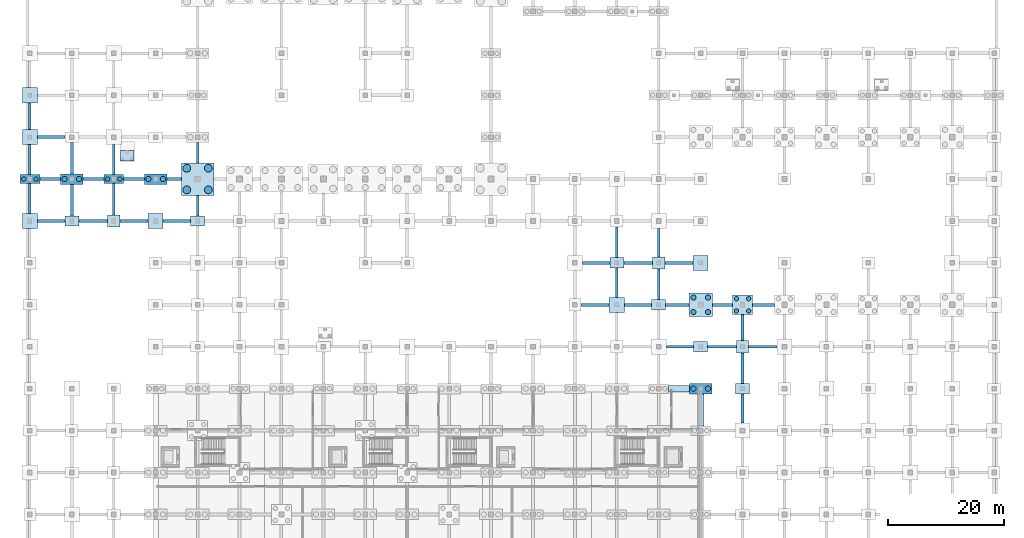
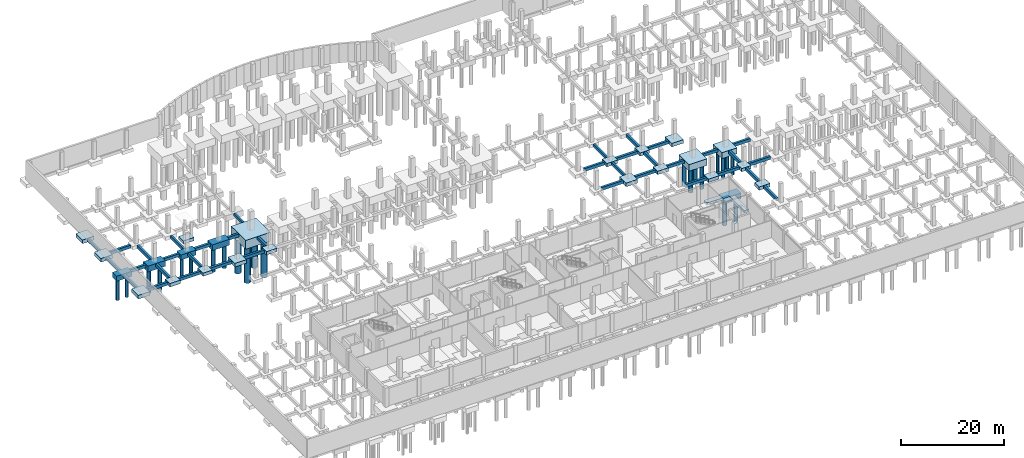
# One storey, part 7 of 22: 62 footings, 22 piles.
"""IFC4 building model written with IfcOpenShell, lengths in metres."""

from ifc_helpers import new_model, si_unit, direction, frame, origin, origin_2d, place, context, subcontext, project, spatial, polyline, rectangle, circle, outline, extrude, material, material_profile, profile_set, type_object, element, save


model = new_model("IFC4")

# Units and contexts
model_context = context("Model", 3, precision=1e-05, world=origin(), true_north=direction((0.0, 1.0)))
body_context = subcontext(model_context, "Body", "Model", "MODEL_VIEW")
ifc_project = project(units=[si_unit("LENGTHUNIT", "METRE"), si_unit("AREAUNIT", "SQUARE_METRE"), si_unit("VOLUMEUNIT", "CUBIC_METRE"), si_unit("PLANEANGLEUNIT", "RADIAN"), si_unit("MASSUNIT", "GRAM", prefix="KILO")], contexts=[model_context])

# Site, building, storey
site_placement = place(None, origin())
site = spatial("IfcSite", under=ifc_project, at=site_placement, CompositionType="ELEMENT")
building_placement = place(site_placement, origin())
building = spatial("IfcBuilding", under=site, at=building_placement, Name="Sardonyx Promenade Sports Hall", CompositionType="ELEMENT")
storey_placement = place(building_placement, frame((0.0, 0.0, -4.5)))
storey = spatial("IfcBuildingStorey", under=building, at=storey_placement, Name="B1", CompositionType="ELEMENT", Elevation=-4.5)

# Footings
ifc_material_1 = material(Name="Concrete C40/50", Category="concrete")
footing_type_1 = type_object("IfcFootingType", Name="Cap_2P_750", PredefinedType="PILE_CAP", material=ifc_material_1)
for number, where, z_axis, x_axis, name in (
    (1, (0.0, 72.0, -1.2001953125), (0.0, 0.0, 1.0), (1.0, 0.0, 0.0), "Pile cap PC02 at (0.00, 72.00)"),
    (2, (14.39990234375, 72.0, -1.2001953125), (0.0, 0.0, 1.0), (1.0, 0.0, 0.0), "Pile cap PC02 at (14.40, 72.00)"),
):
    element("IfcFooting", number, at=place(storey_placement, frame(where, z_axis=z_axis, x_axis=x_axis)), inside=storey, type_object=footing_type_1, Name=name, PredefinedType="PILE_CAP", context=body_context, shape_type="SweptSolid", body=[
        extrude(rectangle(XDim=3.39990234375, YDim=1.60009765625, at=origin_2d()), origin(), (0.0, 0.0, 1.0), 1.199951171875),
    ])
ifc_material_2 = material(Name="Concrete C40/50", Category="concrete")
footing_type_2 = type_object("IfcFootingType", Name="Cap_2P_900", PredefinedType="PILE_CAP", material=ifc_material_2)
for number, where, z_axis, x_axis, name in (
    (3, (7.199951171875, 72.0, -1.35009765625), (0.0, 0.0, 1.0), (1.0, 0.0, 0.0), "Pile cap PC09 at (7.20, 72.00)"),
    (4, (21.60009765625, 72.0, -1.35009765625), (0.0, 0.0, 1.0), (1.0, 0.0, 0.0), "Pile cap PC09 at (21.60, 72.00)"),
    (5, (115.199951171875, 36.0, -1.35009765625), (0.0, 0.0, 1.0), (1.0, 0.0, 0.0), "Pile cap PC09 at (115.20, 36.00)"),
):
    element("IfcFooting", number, at=place(storey_placement, frame(where, z_axis=z_axis, x_axis=x_axis)), inside=storey, type_object=footing_type_2, Name=name, PredefinedType="PILE_CAP", context=body_context, shape_type="SweptSolid", body=[
        extrude(rectangle(XDim=3.89990234375, YDim=1.800048828125, at=origin_2d()), origin(), (0.0, 0.0, 1.0), 1.35009765625),
    ])
ifc_material_3 = material(Name="Concrete C40/50", Category="concrete")
footing_type_3 = type_object("IfcFootingType", Name="Cap_4P_1350", PredefinedType="PILE_CAP", material=ifc_material_3)
footing_1_placement = place(storey_placement, frame((28.800048828125, 72.0, -2.10009765625), z_axis=(0.0, 0.0, 1.0), x_axis=(1.0, 0.0, 0.0)))
element("IfcFooting", 6, at=footing_1_placement, inside=storey, type_object=footing_type_3, Name="Pile cap PC08 at (28.80, 72.00)", PredefinedType="PILE_CAP", context=body_context, shape_type="SweptSolid", body=[
    extrude(rectangle(XDim=5.60009765625, YDim=5.60009765625, at=origin_2d()), origin(), (0.0, 0.0, 1.0), 2.10009765625),
])
ifc_material_4 = material(Name="Concrete C40/50", Category="concrete")
footing_type_4 = type_object("IfcFootingType", Name="Cap_4P_750", PredefinedType="PILE_CAP", material=ifc_material_4)
footing_2_placement = place(storey_placement, frame((122.39990234375, 50.39990234375, -1.39990234375), z_axis=(0.0, 0.0, 1.0), x_axis=(1.0, 0.0, 0.0)))
element("IfcFooting", 7, at=footing_2_placement, inside=storey, type_object=footing_type_4, Name="Pile cap PC04 at (122.40, 50.40)", PredefinedType="PILE_CAP", context=body_context, shape_type="SweptSolid", body=[
    extrude(rectangle(XDim=3.39990234375, YDim=3.39990234375, at=origin_2d()), origin(), (0.0, 0.0, 1.0), 1.39990234375),
])
ifc_material_5 = material(Name="Concrete C40/50", Category="concrete")
footing_type_5 = type_object("IfcFootingType", Name="Cap_4P_900", PredefinedType="PILE_CAP", material=ifc_material_5)
footing_3_placement = place(storey_placement, frame((115.199951171875, 50.39990234375, -1.5498046875), z_axis=(0.0, 0.0, 1.0), x_axis=(1.0, 0.0, 0.0)))
element("IfcFooting", 8, at=footing_3_placement, inside=storey, type_object=footing_type_5, Name="Pile cap PC03 at (115.20, 50.40)", PredefinedType="PILE_CAP", context=body_context, shape_type="SweptSolid", body=[
    extrude(rectangle(XDim=4.0, YDim=4.0, at=origin_2d()), origin(), (0.0, 0.0, 1.0), 1.550048828125),
])
ifc_material_6 = material(Name="Concrete C40/50", Category="concrete")
footing_type_6 = type_object("IfcFootingType", Name="Ftg_Beam_450x650", PredefinedType="FOOTING_BEAM", material=ifc_material_6)
footing_4_placement = place(storey_placement, frame((0.0, 0.0, -0.64990234375)))
element("IfcFooting", 9, at=footing_4_placement, inside=storey, type_object=footing_type_6, Name="Ground tie beam GB03 #229", PredefinedType="FOOTING_BEAM", context=body_context, shape_type="SweptSolid", body=[
    extrude(outline(polyline([(-0.22509765625, 66.10009765625), (0.22509765625, 66.10009765625), (0.22509765625, 71.199951171875), (-0.22509765625, 71.199951171875), (-0.22509765625, 66.10009765625)])), origin(), (0.0, 0.0, 1.0), 0.64990234375),
])
footing_5_placement = place(storey_placement, frame((0.0, 0.0, -0.64990234375)))
element("IfcFooting", 10, at=footing_5_placement, inside=storey, type_object=footing_type_6, Name="Ground tie beam GB03 #230", PredefinedType="FOOTING_BEAM", context=body_context, shape_type="SweptSolid", body=[
    extrude(outline(polyline([(-0.22509765625, 72.800048828125), (0.22509765625, 72.800048828125), (0.22509765625, 77.89990234375), (-0.22509765625, 77.89990234375), (-0.22509765625, 72.800048828125)])), origin(), (0.0, 0.0, 1.0), 0.64990234375),
])
footing_6_placement = place(storey_placement, frame((0.0, 0.0, -0.64990234375)))
element("IfcFooting", 11, at=footing_6_placement, inside=storey, type_object=footing_type_6, Name="Ground tie beam GB03 #231", PredefinedType="FOOTING_BEAM", context=body_context, shape_type="SweptSolid", body=[
    extrude(outline(polyline([(-0.22509765625, 80.5), (0.22509765625, 80.5), (0.22509765625, 85.10009765625), (-0.22509765625, 85.10009765625), (-0.22509765625, 80.5)])), origin(), (0.0, 0.0, 1.0), 0.64990234375),
])
footing_7_placement = place(storey_placement, frame((0.0, 0.0, -0.64990234375)))
element("IfcFooting", 12, at=footing_7_placement, inside=storey, type_object=footing_type_6, Name="Ground tie beam GB03 #247", PredefinedType="FOOTING_BEAM", context=body_context, shape_type="SweptSolid", body=[
    extrude(outline(polyline([(14.175048828125, 65.85009765625), (14.625, 65.85009765625), (14.625, 71.199951171875), (14.175048828125, 71.199951171875), (14.175048828125, 65.85009765625)])), origin(), (0.0, 0.0, 1.0), 0.64990234375),
])
footing_8_placement = place(storey_placement, frame((0.0, 0.0, -0.64990234375)))
element("IfcFooting", 13, at=footing_8_placement, inside=storey, type_object=footing_type_6, Name="Ground tie beam GB03 #248", PredefinedType="FOOTING_BEAM", context=body_context, shape_type="SweptSolid", body=[
    extrude(outline(polyline([(14.175048828125, 72.800048828125), (14.625, 72.800048828125), (14.625, 77.89990234375), (14.175048828125, 77.89990234375), (14.175048828125, 72.800048828125)])), origin(), (0.0, 0.0, 1.0), 0.64990234375),
])
footing_9_placement = place(storey_placement, frame((0.0, 0.0, -0.64990234375)))
element("IfcFooting", 14, at=footing_9_placement, inside=storey, type_object=footing_type_6, Name="Ground tie beam GB03 #260", PredefinedType="FOOTING_BEAM", context=body_context, shape_type="SweptSolid", body=[
    extrude(outline(polyline([(28.574951171875, 65.699951171875), (29.02490234375, 65.699951171875), (29.02490234375, 69.199951171875), (28.574951171875, 69.199951171875), (28.574951171875, 65.699951171875)])), origin(), (0.0, 0.0, 1.0), 0.64990234375),
])
footing_10_placement = place(storey_placement, frame((0.0, 0.0, -0.64990234375)))
element("IfcFooting", 15, at=footing_10_placement, inside=storey, type_object=footing_type_6, Name="Ground tie beam GB03 #261", PredefinedType="FOOTING_BEAM", context=body_context, shape_type="SweptSolid", body=[
    extrude(outline(polyline([(28.574951171875, 74.800048828125), (29.02490234375, 74.800048828125), (29.02490234375, 78.300048828125), (28.574951171875, 78.300048828125), (28.574951171875, 74.800048828125)])), origin(), (0.0, 0.0, 1.0), 0.64990234375),
])
footing_11_placement = place(storey_placement, frame((0.0, 0.0, -0.64990234375)))
element("IfcFooting", 16, at=footing_11_placement, inside=storey, type_object=footing_type_6, Name="Ground tie beam GB03 #358", PredefinedType="FOOTING_BEAM", context=body_context, shape_type="SweptSolid", body=[
    extrude(outline(polyline([(100.574951171875, 51.699951171875), (101.02490234375, 51.699951171875), (101.02490234375, 56.699951171875), (100.574951171875, 56.699951171875), (100.574951171875, 51.699951171875)])), origin(), (0.0, 0.0, 1.0), 0.64990234375),
])
footing_12_placement = place(storey_placement, frame((0.0, 0.0, -0.64990234375)))
element("IfcFooting", 17, at=footing_12_placement, inside=storey, type_object=footing_type_6, Name="Ground tie beam GB03 #359", PredefinedType="FOOTING_BEAM", context=body_context, shape_type="SweptSolid", body=[
    extrude(outline(polyline([(100.574951171875, 58.5), (101.02490234375, 58.5), (101.02490234375, 63.75), (100.574951171875, 63.75), (100.574951171875, 58.5)])), origin(), (0.0, 0.0, 1.0), 0.64990234375),
])
ifc_material_7 = material(Name="Concrete C40/50", Category="concrete")
footing_type_7 = type_object("IfcFootingType", Name="Ftg_Beam_500x700", PredefinedType="FOOTING_BEAM", material=ifc_material_7)
footing_13_placement = place(storey_placement, frame((0.0, 0.0, -0.699951171875)))
element("IfcFooting", 18, at=footing_13_placement, inside=storey, type_object=footing_type_7, Name="Ground tie beam GB01 #105", PredefinedType="FOOTING_BEAM", context=body_context, shape_type="SweptSolid", body=[
    extrude(outline(polyline([(109.300048828125, 42.949951171875), (114.0, 42.949951171875), (114.0, 43.449951171875), (109.300048828125, 43.449951171875), (109.300048828125, 42.949951171875)])), origin(), (0.0, 0.0, 1.0), 0.699951171875),
])
footing_14_placement = place(storey_placement, frame((0.0, 0.0, -0.699951171875)))
element("IfcFooting", 19, at=footing_14_placement, inside=storey, type_object=footing_type_7, Name="Ground tie beam GB01 #106", PredefinedType="FOOTING_BEAM", context=body_context, shape_type="SweptSolid", body=[
    extrude(outline(polyline([(116.39990234375, 42.949951171875), (121.35009765625, 42.949951171875), (121.35009765625, 43.449951171875), (116.39990234375, 43.449951171875), (116.39990234375, 42.949951171875)])), origin(), (0.0, 0.0, 1.0), 0.699951171875),
])
footing_15_placement = place(storey_placement, frame((0.0, 0.0, -0.699951171875)))
element("IfcFooting", 20, at=footing_15_placement, inside=storey, type_object=footing_type_7, Name="Ground tie beam GB01 #107", PredefinedType="FOOTING_BEAM", context=body_context, shape_type="SweptSolid", body=[
    extrude(outline(polyline([(123.449951171875, 42.949951171875), (128.300048828125, 42.949951171875), (128.300048828125, 43.449951171875), (123.449951171875, 43.449951171875), (123.449951171875, 42.949951171875)])), origin(), (0.0, 0.0, 1.0), 0.699951171875),
])
footing_16_placement = place(storey_placement, frame((0.0, 0.0, -0.699951171875)))
element("IfcFooting", 21, at=footing_16_placement, inside=storey, type_object=footing_type_7, Name="Ground tie beam GB01 #116", PredefinedType="FOOTING_BEAM", context=body_context, shape_type="SweptSolid", body=[
    extrude(outline(polyline([(94.64990234375, 50.14990234375), (99.5, 50.14990234375), (99.5, 50.64990234375), (94.64990234375, 50.64990234375), (94.64990234375, 50.14990234375)])), origin(), (0.0, 0.0, 1.0), 0.699951171875),
])
footing_17_placement = place(storey_placement, frame((0.0, 0.0, -0.699951171875)))
element("IfcFooting", 22, at=footing_17_placement, inside=storey, type_object=footing_type_7, Name="Ground tie beam GB01 #117", PredefinedType="FOOTING_BEAM", context=body_context, shape_type="SweptSolid", body=[
    extrude(outline(polyline([(102.10009765625, 50.14990234375), (106.800048828125, 50.14990234375), (106.800048828125, 50.64990234375), (102.10009765625, 50.64990234375), (102.10009765625, 50.14990234375)])), origin(), (0.0, 0.0, 1.0), 0.699951171875),
])
footing_18_placement = place(storey_placement, frame((0.0, 0.0, -0.699951171875)))
element("IfcFooting", 23, at=footing_18_placement, inside=storey, type_object=footing_type_7, Name="Ground tie beam GB01 #118", PredefinedType="FOOTING_BEAM", context=body_context, shape_type="SweptSolid", body=[
    extrude(outline(polyline([(109.199951171875, 50.14990234375), (113.199951171875, 50.14990234375), (113.199951171875, 50.64990234375), (109.199951171875, 50.64990234375), (109.199951171875, 50.14990234375)])), origin(), (0.0, 0.0, 1.0), 0.699951171875),
])
footing_19_placement = place(storey_placement, frame((0.0, 0.0, -0.699951171875)))
element("IfcFooting", 24, at=footing_19_placement, inside=storey, type_object=footing_type_7, Name="Ground tie beam GB01 #119", PredefinedType="FOOTING_BEAM", context=body_context, shape_type="SweptSolid", body=[
    extrude(outline(polyline([(117.199951171875, 50.14990234375), (120.699951171875, 50.14990234375), (120.699951171875, 50.64990234375), (117.199951171875, 50.64990234375), (117.199951171875, 50.14990234375)])), origin(), (0.0, 0.0, 1.0), 0.699951171875),
])
footing_20_placement = place(storey_placement, frame((0.0, 0.0, -0.699951171875)))
element("IfcFooting", 25, at=footing_20_placement, inside=storey, type_object=footing_type_7, Name="Ground tie beam GB01 #120", PredefinedType="FOOTING_BEAM", context=body_context, shape_type="SweptSolid", body=[
    extrude(outline(polyline([(124.10009765625, 50.14990234375), (127.89990234375, 50.14990234375), (127.89990234375, 50.64990234375), (124.10009765625, 50.64990234375), (124.10009765625, 50.14990234375)])), origin(), (0.0, 0.0, 1.0), 0.699951171875),
])
footing_21_placement = place(storey_placement, frame((0.0, 0.0, -0.699951171875)))
element("IfcFooting", 26, at=footing_21_placement, inside=storey, type_object=footing_type_7, Name="Ground tie beam GB01 #130", PredefinedType="FOOTING_BEAM", context=body_context, shape_type="SweptSolid", body=[
    extrude(outline(polyline([(94.89990234375, 57.35009765625), (99.60009765625, 57.35009765625), (99.60009765625, 57.85009765625), (94.89990234375, 57.85009765625), (94.89990234375, 57.35009765625)])), origin(), (0.0, 0.0, 1.0), 0.699951171875),
])
footing_22_placement = place(storey_placement, frame((0.0, 0.0, -0.699951171875)))
element("IfcFooting", 27, at=footing_22_placement, inside=storey, type_object=footing_type_7, Name="Ground tie beam GB01 #131", PredefinedType="FOOTING_BEAM", context=body_context, shape_type="SweptSolid", body=[
    extrude(outline(polyline([(102.0, 57.35009765625), (106.949951171875, 57.35009765625), (106.949951171875, 57.85009765625), (102.0, 57.85009765625), (102.0, 57.35009765625)])), origin(), (0.0, 0.0, 1.0), 0.699951171875),
])
footing_23_placement = place(storey_placement, frame((0.0, 0.0, -0.699951171875)))
element("IfcFooting", 28, at=footing_23_placement, inside=storey, type_object=footing_type_7, Name="Ground tie beam GB01 #132", PredefinedType="FOOTING_BEAM", context=body_context, shape_type="SweptSolid", body=[
    extrude(outline(polyline([(109.050048828125, 57.35009765625), (113.89990234375, 57.35009765625), (113.89990234375, 57.85009765625), (109.050048828125, 57.85009765625), (109.050048828125, 57.35009765625)])), origin(), (0.0, 0.0, 1.0), 0.699951171875),
])
footing_24_placement = place(storey_placement, frame((0.0, 0.0, -0.699951171875)))
element("IfcFooting", 29, at=footing_24_placement, inside=storey, type_object=footing_type_7, Name="Ground tie beam GB01 #134", PredefinedType="FOOTING_BEAM", context=body_context, shape_type="SweptSolid", body=[
    extrude(outline(polyline([(1.300048828125, 64.550048828125), (6.0, 64.550048828125), (6.0, 65.050048828125), (1.300048828125, 65.050048828125), (1.300048828125, 64.550048828125)])), origin(), (0.0, 0.0, 1.0), 0.699951171875),
])
footing_25_placement = place(storey_placement, frame((0.0, 0.0, -0.699951171875)))
element("IfcFooting", 30, at=footing_25_placement, inside=storey, type_object=footing_type_7, Name="Ground tie beam GB01 #135", PredefinedType="FOOTING_BEAM", context=body_context, shape_type="SweptSolid", body=[
    extrude(outline(polyline([(8.39990234375, 64.550048828125), (13.35009765625, 64.550048828125), (13.35009765625, 65.050048828125), (8.39990234375, 65.050048828125), (8.39990234375, 64.550048828125)])), origin(), (0.0, 0.0, 1.0), 0.699951171875),
])
footing_26_placement = place(storey_placement, frame((0.0, 0.0, -0.699951171875)))
element("IfcFooting", 31, at=footing_26_placement, inside=storey, type_object=footing_type_7, Name="Ground tie beam GB01 #136", PredefinedType="FOOTING_BEAM", context=body_context, shape_type="SweptSolid", body=[
    extrude(outline(polyline([(15.449951171875, 64.550048828125), (20.300048828125, 64.550048828125), (20.300048828125, 65.050048828125), (15.449951171875, 65.050048828125), (15.449951171875, 64.550048828125)])), origin(), (0.0, 0.0, 1.0), 0.699951171875),
])
footing_27_placement = place(storey_placement, frame((0.0, 0.0, -0.699951171875)))
element("IfcFooting", 32, at=footing_27_placement, inside=storey, type_object=footing_type_7, Name="Ground tie beam GB01 #137", PredefinedType="FOOTING_BEAM", context=body_context, shape_type="SweptSolid", body=[
    extrude(outline(polyline([(22.89990234375, 64.550048828125), (27.60009765625, 64.550048828125), (27.60009765625, 65.050048828125), (22.89990234375, 65.050048828125), (22.89990234375, 64.550048828125)])), origin(), (0.0, 0.0, 1.0), 0.699951171875),
])
footing_28_placement = place(storey_placement, frame((0.0, 0.0, -0.699951171875)))
element("IfcFooting", 33, at=footing_28_placement, inside=storey, type_object=footing_type_7, Name="Ground tie beam GB01 #151", PredefinedType="FOOTING_BEAM", context=body_context, shape_type="SweptSolid", body=[
    extrude(outline(polyline([(1.699951171875, 71.75), (5.25, 71.75), (5.25, 72.25), (1.699951171875, 72.25), (1.699951171875, 71.75)])), origin(), (0.0, 0.0, 1.0), 0.699951171875),
])
footing_29_placement = place(storey_placement, frame((0.0, 0.0, -0.699951171875)))
element("IfcFooting", 34, at=footing_29_placement, inside=storey, type_object=footing_type_7, Name="Ground tie beam GB01 #152", PredefinedType="FOOTING_BEAM", context=body_context, shape_type="SweptSolid", body=[
    extrude(outline(polyline([(9.14990234375, 71.75), (12.699951171875, 71.75), (12.699951171875, 72.25), (9.14990234375, 72.25), (9.14990234375, 71.75)])), origin(), (0.0, 0.0, 1.0), 0.699951171875),
])
footing_30_placement = place(storey_placement, frame((0.0, 0.0, -0.699951171875)))
element("IfcFooting", 35, at=footing_30_placement, inside=storey, type_object=footing_type_7, Name="Ground tie beam GB01 #153", PredefinedType="FOOTING_BEAM", context=body_context, shape_type="SweptSolid", body=[
    extrude(outline(polyline([(16.10009765625, 71.75), (19.64990234375, 71.75), (19.64990234375, 72.25), (16.10009765625, 72.25), (16.10009765625, 71.75)])), origin(), (0.0, 0.0, 1.0), 0.699951171875),
])
footing_31_placement = place(storey_placement, frame((0.0, 0.0, -0.699951171875)))
element("IfcFooting", 36, at=footing_31_placement, inside=storey, type_object=footing_type_7, Name="Ground tie beam GB01 #154", PredefinedType="FOOTING_BEAM", context=body_context, shape_type="SweptSolid", body=[
    extrude(outline(polyline([(23.550048828125, 71.75), (26.0, 71.75), (26.0, 72.25), (23.550048828125, 72.25), (23.550048828125, 71.75)])), origin(), (0.0, 0.0, 1.0), 0.699951171875),
])
footing_32_placement = place(storey_placement, frame((0.0, 0.0, -0.699951171875)))
element("IfcFooting", 37, at=footing_32_placement, inside=storey, type_object=footing_type_7, Name="Ground tie beam GB01 #168", PredefinedType="FOOTING_BEAM", context=body_context, shape_type="SweptSolid", body=[
    extrude(outline(polyline([(1.300048828125, 78.949951171875), (6.0, 78.949951171875), (6.0, 79.449951171875), (1.300048828125, 79.449951171875), (1.300048828125, 78.949951171875)])), origin(), (0.0, 0.0, 1.0), 0.699951171875),
])
footing_33_placement = place(storey_placement, frame((0.0, 0.0, -0.699951171875)))
element("IfcFooting", 38, at=footing_33_placement, inside=storey, type_object=footing_type_7, Name="Ground tie beam GB01 #238", PredefinedType="FOOTING_BEAM", context=body_context, shape_type="SweptSolid", body=[
    extrude(outline(polyline([(6.949951171875, 65.699951171875), (7.449951171875, 65.699951171875), (7.449951171875, 71.10009765625), (6.949951171875, 71.10009765625), (6.949951171875, 65.699951171875)])), origin(), (0.0, 0.0, 1.0), 0.699951171875),
])
footing_34_placement = place(storey_placement, frame((0.0, 0.0, -0.699951171875)))
element("IfcFooting", 39, at=footing_34_placement, inside=storey, type_object=footing_type_7, Name="Ground tie beam GB01 #239", PredefinedType="FOOTING_BEAM", context=body_context, shape_type="SweptSolid", body=[
    extrude(outline(polyline([(6.949951171875, 72.89990234375), (7.449951171875, 72.89990234375), (7.449951171875, 78.300048828125), (6.949951171875, 78.300048828125), (6.949951171875, 72.89990234375)])), origin(), (0.0, 0.0, 1.0), 0.699951171875),
])
footing_35_placement = place(storey_placement, frame((0.0, 0.0, -0.699951171875)))
element("IfcFooting", 40, at=footing_35_placement, inside=storey, type_object=footing_type_7, Name="Ground tie beam GB01 #369", PredefinedType="FOOTING_BEAM", context=body_context, shape_type="SweptSolid", body=[
    extrude(outline(polyline([(107.75, 51.300048828125), (108.25, 51.300048828125), (108.25, 56.550048828125), (107.75, 56.550048828125), (107.75, 51.300048828125)])), origin(), (0.0, 0.0, 1.0), 0.699951171875),
])
footing_36_placement = place(storey_placement, frame((0.0, 0.0, -0.699951171875)))
element("IfcFooting", 41, at=footing_36_placement, inside=storey, type_object=footing_type_7, Name="Ground tie beam GB01 #370", PredefinedType="FOOTING_BEAM", context=body_context, shape_type="SweptSolid", body=[
    extrude(outline(polyline([(107.75, 58.64990234375), (108.25, 58.64990234375), (108.25, 63.5), (107.75, 63.5), (107.75, 58.64990234375)])), origin(), (0.0, 0.0, 1.0), 0.699951171875),
])
footing_37_placement = place(storey_placement, frame((0.0, 0.0, -0.699951171875)))
element("IfcFooting", 42, at=footing_37_placement, inside=storey, type_object=footing_type_7, Name="Ground tie beam GB01 #382", PredefinedType="FOOTING_BEAM", context=body_context, shape_type="SweptSolid", body=[
    extrude(outline(polyline([(122.14990234375, 30.10009765625), (122.64990234375, 30.10009765625), (122.64990234375, 35.10009765625), (122.14990234375, 35.10009765625), (122.14990234375, 30.10009765625)])), origin(), (0.0, 0.0, 1.0), 0.699951171875),
])
footing_38_placement = place(storey_placement, frame((0.0, 0.0, -0.699951171875)))
element("IfcFooting", 43, at=footing_38_placement, inside=storey, type_object=footing_type_7, Name="Ground tie beam GB01 #383", PredefinedType="FOOTING_BEAM", context=body_context, shape_type="SweptSolid", body=[
    extrude(outline(polyline([(122.14990234375, 36.89990234375), (122.64990234375, 36.89990234375), (122.64990234375, 42.14990234375), (122.14990234375, 42.14990234375), (122.14990234375, 36.89990234375)])), origin(), (0.0, 0.0, 1.0), 0.699951171875),
])
footing_39_placement = place(storey_placement, frame((0.0, 0.0, -0.699951171875)))
element("IfcFooting", 44, at=footing_39_placement, inside=storey, type_object=footing_type_7, Name="Ground tie beam GB01 #384", PredefinedType="FOOTING_BEAM", context=body_context, shape_type="SweptSolid", body=[
    extrude(outline(polyline([(122.14990234375, 44.25), (122.64990234375, 44.25), (122.64990234375, 48.699951171875), (122.14990234375, 48.699951171875), (122.14990234375, 44.25)])), origin(), (0.0, 0.0, 1.0), 0.699951171875),
])
ifc_material_8 = material(Name="Concrete C40/50", Category="concrete")
footing_type_8 = type_object("IfcFootingType", Name="Ftg_Pad_2100", PredefinedType="PAD_FOOTING", material=ifc_material_8)
for number, where, z_axis, x_axis, name in (
    (45, (14.39990234375, 64.800048828125, -0.75), (0.0, 0.0, 1.0), (1.0, 0.0, 0.0), "Rock-bearing pad footing PF02 at (14.40, 64.80)"),
    (46, (108.0, 57.60009765625, -0.75), (0.0, 0.0, 1.0), (1.0, 0.0, 0.0), "Rock-bearing pad footing PF02 at (108.00, 57.60)"),
    (47, (122.39990234375, 43.199951171875, -0.75), (0.0, 0.0, 1.0), (1.0, 0.0, 0.0), "Rock-bearing pad footing PF02 at (122.40, 43.20)"),
):
    element("IfcFooting", number, at=place(storey_placement, frame(where, z_axis=z_axis, x_axis=x_axis)), inside=storey, type_object=footing_type_8, Name=name, PredefinedType="PAD_FOOTING", context=body_context, shape_type="SweptSolid", body=[
        extrude(rectangle(XDim=2.10009765625, YDim=2.10009765625, at=origin_2d()), origin(), (0.0, 0.0, 1.0), 0.75),
    ])
ifc_material_9 = material(Name="Concrete C40/50", Category="concrete")
footing_type_9 = type_object("IfcFootingType", Name="Ftg_Pad_2400x1800", PredefinedType="PAD_FOOTING", material=ifc_material_9)
for number, where, z_axis, x_axis, name in (
    (48, (7.199951171875, 64.800048828125, -0.7998046875), (0.0, 0.0, 1.0), (1.0, 0.0, 0.0), "Rock-bearing pad footing PF03 at (7.20, 64.80)"),
    (49, (28.800048828125, 64.800048828125, -0.7998046875), (0.0, 0.0, 1.0), (1.0, 0.0, 0.0), "Rock-bearing pad footing PF03 at (28.80, 64.80)"),
    (50, (100.800048828125, 57.60009765625, -0.7998046875), (0.0, 0.0, 1.0), (1.0, 0.0, 0.0), "Rock-bearing pad footing PF03 at (100.80, 57.60)"),
    (51, (108.0, 50.39990234375, -0.7998046875), (0.0, 0.0, 1.0), (1.0, 0.0, 0.0), "Rock-bearing pad footing PF03 at (108.00, 50.40)"),
    (52, (115.199951171875, 43.199951171875, -0.7998046875), (0.0, 0.0, 1.0), (1.0, 0.0, 0.0), "Rock-bearing pad footing PF03 at (115.20, 43.20)"),
    (53, (122.39990234375, 36.0, -0.7998046875), (0.0, 0.0, 1.0), (1.0, 0.0, 0.0), "Rock-bearing pad footing PF03 at (122.40, 36.00)"),
    (54, (16.699951171875, 76.0, -0.7998046875), (0.0, 0.0, 1.0), (1.0, 0.0, 0.0), "Ramp landing pad footing #3"),
):
    element("IfcFooting", number, at=place(storey_placement, frame(where, z_axis=z_axis, x_axis=x_axis)), inside=storey, type_object=footing_type_9, Name=name, PredefinedType="PAD_FOOTING", context=body_context, shape_type="SweptSolid", body=[
        extrude(rectangle(XDim=2.39990234375, YDim=1.800048828125, at=origin_2d()), origin(), (0.0, 0.0, 1.0), 0.800048828125),
    ])
ifc_material_10 = material(Name="Concrete C40/50", Category="concrete")
footing_type_10 = type_object("IfcFootingType", Name="Ftg_Pad_2600", PredefinedType="PAD_FOOTING", material=ifc_material_10)
for number, where, z_axis, x_axis, name in (
    (55, (0.0, 64.800048828125, -0.85009765625), (0.0, 0.0, 1.0), (1.0, 0.0, 0.0), "Rock-bearing pad footing PF04 at (0.00, 64.80)"),
    (56, (21.60009765625, 64.800048828125, -0.85009765625), (0.0, 0.0, 1.0), (1.0, 0.0, 0.0), "Rock-bearing pad footing PF04 at (21.60, 64.80)"),
    (57, (100.800048828125, 50.39990234375, -0.85009765625), (0.0, 0.0, 1.0), (1.0, 0.0, 0.0), "Rock-bearing pad footing PF04 at (100.80, 50.40)"),
    (58, (115.199951171875, 57.60009765625, -0.85009765625), (0.0, 0.0, 1.0), (1.0, 0.0, 0.0), "Rock-bearing pad footing PF04 at (115.20, 57.60)"),
    (59, (0.0, 79.199951171875, -0.85009765625), (0.0, 0.0, 1.0), (1.0, 0.0, 0.0), "Pad footing PF04 #18"),
    (60, (0.0, 86.39990234375, -0.85009765625), (0.0, 0.0, 1.0), (1.0, 0.0, 0.0), "Pad footing PF04 #19"),
):
    element("IfcFooting", number, at=place(storey_placement, frame(where, z_axis=z_axis, x_axis=x_axis)), inside=storey, type_object=footing_type_10, Name=name, PredefinedType="PAD_FOOTING", context=body_context, shape_type="SweptSolid", body=[
        extrude(rectangle(XDim=2.60009765625, YDim=2.60009765625, at=origin_2d()), origin(), (0.0, 0.0, 1.0), 0.85009765625),
    ])
ifc_material_11 = material(Name="Concrete C40/50", Category="concrete")
footing_type_11 = type_object("IfcFootingType", Name="Ftg_Strip_1100x550", PredefinedType="STRIP_FOOTING", material=ifc_material_11)
footing_40_placement = place(storey_placement, frame((0.0, 0.0, -0.550048828125)))
element("IfcFooting", 61, at=footing_40_placement, inside=storey, type_object=footing_type_11, Name="Basement wall strip footing SF02 #26", PredefinedType="STRIP_FOOTING", context=body_context, shape_type="SweptSolid", body=[
    extrude(outline(polyline([(109.699951171875, 35.449951171875), (113.25, 35.449951171875), (113.25, 36.550048828125), (109.699951171875, 36.550048828125), (109.699951171875, 35.449951171875)])), origin(), (0.0, 0.0, 1.0), 0.550048828125),
])
footing_41_placement = place(storey_placement, frame((0.0, 0.0, -0.550048828125)))
element("IfcFooting", 62, at=footing_41_placement, inside=storey, type_object=footing_type_11, Name="Basement wall strip footing SF02 #34", PredefinedType="STRIP_FOOTING", context=body_context, shape_type="SweptSolid", body=[
    extrude(outline(polyline([(114.64990234375, 29.60009765625), (115.75, 29.60009765625), (115.75, 35.10009765625), (114.64990234375, 35.10009765625), (114.64990234375, 29.60009765625)])), origin(), (0.0, 0.0, 1.0), 0.550048828125),
])

# Piles
ifc_material_12 = material(Name="Concrete C40/50", Category="concrete")
ifc_material_profile_1 = material_profile(ifc_material_12, circle(Radius=0.675048828125, at=origin_2d()))
ifc_profile_set_1 = profile_set([ifc_material_profile_1], Name="Concrete C40/50")
pile_type_1 = type_object("IfcPileType", Name="Pile_BP1350", PredefinedType="BORED", material=ifc_profile_set_1)
for number, where, z_axis, x_axis, name in (
    (63, (26.949951171875, 70.14990234375, -2.0), (0.0, 0.0, -1.0), (1.0, 0.0, 0.0), "Bored pile BP01 #1 under ftg:cap:28.800_72.000"),
    (64, (30.64990234375, 70.14990234375, -2.0), (0.0, 0.0, -1.0), (1.0, 0.0, 0.0), "Bored pile BP01 #2 under ftg:cap:28.800_72.000"),
    (65, (26.949951171875, 73.85009765625, -2.0), (0.0, 0.0, -1.0), (1.0, 0.0, 0.0), "Bored pile BP01 #3 under ftg:cap:28.800_72.000"),
    (66, (30.64990234375, 73.85009765625, -2.0), (0.0, 0.0, -1.0), (1.0, 0.0, 0.0), "Bored pile BP01 #4 under ftg:cap:28.800_72.000"),
):
    element("IfcPile", number, at=place(storey_placement, frame(where, z_axis=z_axis, x_axis=x_axis)), inside=storey, type_object=pile_type_1, Name=name, PredefinedType="BORED", context=body_context, shape_type="SweptSolid", body=[
        extrude(circle(Radius=0.675048828125, at=origin_2d()), origin(), (0.0, 0.0, 1.0), 8.60009765625),
    ])
ifc_material_13 = material(Name="Concrete C40/50", Category="concrete")
ifc_material_profile_2 = material_profile(ifc_material_13, circle(Radius=0.375, at=origin_2d()))
ifc_profile_set_2 = profile_set([ifc_material_profile_2], Name="Concrete C40/50")
pile_type_2 = type_object("IfcPileType", Name="Pile_BP750", PredefinedType="BORED", material=ifc_profile_set_2)
for number, where, z_axis, x_axis, name in (
    (67, (-1.050048828125, 72.0, -1.10009765625), (0.0, 0.0, -1.0), (1.0, 0.0, 0.0), "Bored pile BP02 #1 under ftg:cap:0.000_72.000"),
    (68, (1.050048828125, 72.0, -1.10009765625), (0.0, 0.0, -1.0), (1.0, 0.0, 0.0), "Bored pile BP02 #2 under ftg:cap:0.000_72.000"),
    (69, (13.35009765625, 72.0, -1.10009765625), (0.0, 0.0, -1.0), (1.0, 0.0, 0.0), "Bored pile BP02 #1 under ftg:cap:14.400_72.000"),
    (70, (15.449951171875, 72.0, -1.10009765625), (0.0, 0.0, -1.0), (1.0, 0.0, 0.0), "Bored pile BP02 #2 under ftg:cap:14.400_72.000"),
    (71, (121.35009765625, 49.35009765625, -1.300048828125), (0.0, 0.0, -1.0), (1.0, 0.0, 0.0), "Bored pile BP02 #1 under ftg:cap:122.400_50.400"),
    (72, (123.449951171875, 49.35009765625, -1.300048828125), (0.0, 0.0, -1.0), (1.0, 0.0, 0.0), "Bored pile BP02 #2 under ftg:cap:122.400_50.400"),
    (73, (121.35009765625, 51.449951171875, -1.300048828125), (0.0, 0.0, -1.0), (1.0, 0.0, 0.0), "Bored pile BP02 #3 under ftg:cap:122.400_50.400"),
    (74, (123.449951171875, 51.449951171875, -1.300048828125), (0.0, 0.0, -1.0), (1.0, 0.0, 0.0), "Bored pile BP02 #4 under ftg:cap:122.400_50.400"),
):
    element("IfcPile", number, at=place(storey_placement, frame(where, z_axis=z_axis, x_axis=x_axis)), inside=storey, type_object=pile_type_2, Name=name, PredefinedType="BORED", context=body_context, shape_type="SweptSolid", body=[
        extrude(circle(Radius=0.375, at=origin_2d()), origin(), (0.0, 0.0, 1.0), 5.10009765625),
    ])
ifc_material_14 = material(Name="Concrete C40/50", Category="concrete")
ifc_material_profile_3 = material_profile(ifc_material_14, circle(Radius=0.449951171875, at=origin_2d()))
ifc_profile_set_3 = profile_set([ifc_material_profile_3], Name="Concrete C40/50")
pile_type_3 = type_object("IfcPileType", Name="Pile_BP900", PredefinedType="BORED", material=ifc_profile_set_3)
for number, where, z_axis, x_axis, name in (
    (75, (5.949951171875, 72.0, -1.25), (0.0, 0.0, -1.0), (1.0, 0.0, 0.0), "Bored pile BP05 #1 under ftg:cap:7.200_72.000"),
    (76, (8.449951171875, 72.0, -1.25), (0.0, 0.0, -1.0), (1.0, 0.0, 0.0), "Bored pile BP05 #2 under ftg:cap:7.200_72.000"),
    (77, (20.35009765625, 72.0, -1.25), (0.0, 0.0, -1.0), (1.0, 0.0, 0.0), "Bored pile BP05 #1 under ftg:cap:21.600_72.000"),
    (78, (22.85009765625, 72.0, -1.25), (0.0, 0.0, -1.0), (1.0, 0.0, 0.0), "Bored pile BP05 #2 under ftg:cap:21.600_72.000"),
    (79, (113.949951171875, 36.0, -1.25), (0.0, 0.0, -1.0), (1.0, 0.0, 0.0), "Bored pile BP05 #1 under ftg:cap:115.200_36.000"),
    (80, (116.449951171875, 36.0, -1.25), (0.0, 0.0, -1.0), (1.0, 0.0, 0.0), "Bored pile BP05 #2 under ftg:cap:115.200_36.000"),
    (81, (113.949951171875, 49.14990234375, -1.449951171875), (0.0, 0.0, -1.0), (1.0, 0.0, 0.0), "Bored pile BP05 #1 under ftg:cap:115.200_50.400"),
    (82, (116.449951171875, 49.14990234375, -1.449951171875), (0.0, 0.0, -1.0), (1.0, 0.0, 0.0), "Bored pile BP05 #2 under ftg:cap:115.200_50.400"),
    (83, (113.949951171875, 51.64990234375, -1.449951171875), (0.0, 0.0, -1.0), (1.0, 0.0, 0.0), "Bored pile BP05 #3 under ftg:cap:115.200_50.400"),
    (84, (116.449951171875, 51.64990234375, -1.449951171875), (0.0, 0.0, -1.0), (1.0, 0.0, 0.0), "Bored pile BP05 #4 under ftg:cap:115.200_50.400"),
):
    element("IfcPile", number, at=place(storey_placement, frame(where, z_axis=z_axis, x_axis=x_axis)), inside=storey, type_object=pile_type_3, Name=name, PredefinedType="BORED", context=body_context, shape_type="SweptSolid", body=[
        extrude(circle(Radius=0.449951171875, at=origin_2d()), origin(), (0.0, 0.0, 1.0), 5.699951171875),
    ])

save(model, "model.ifc")
